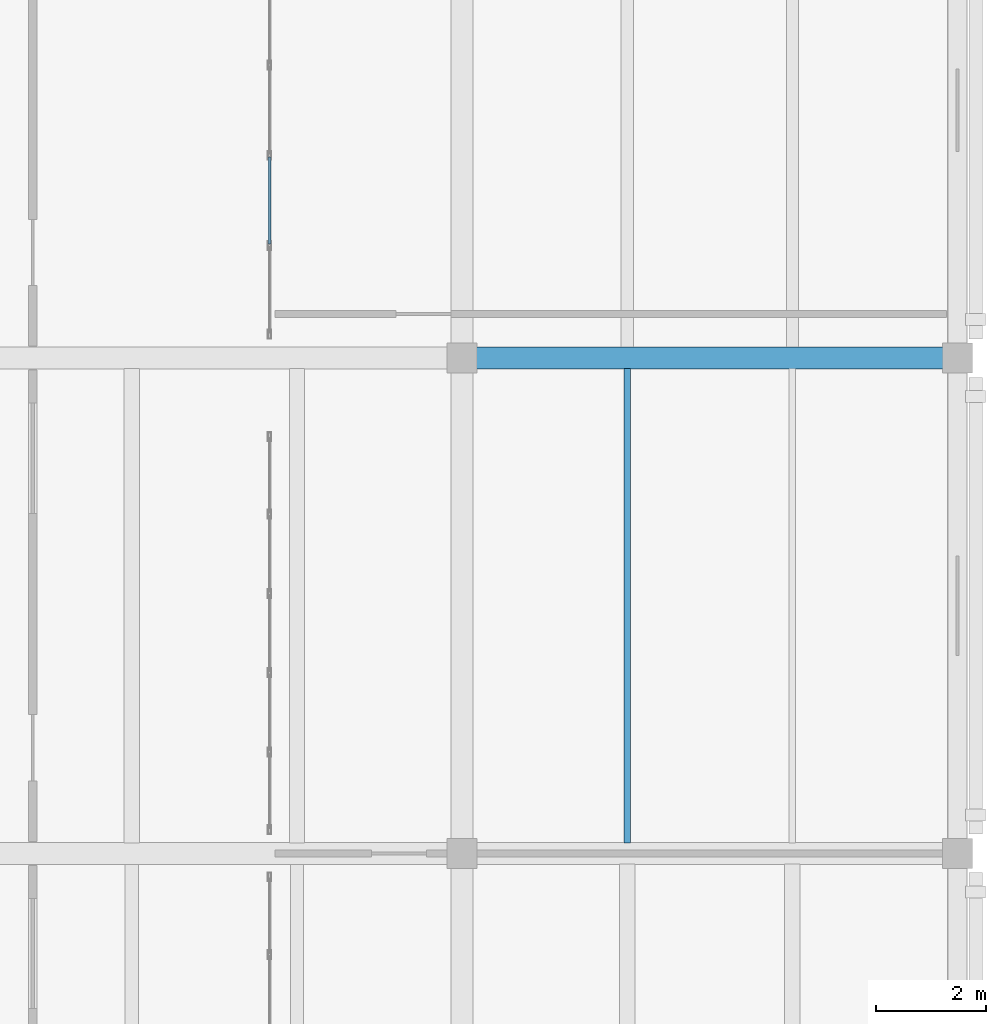
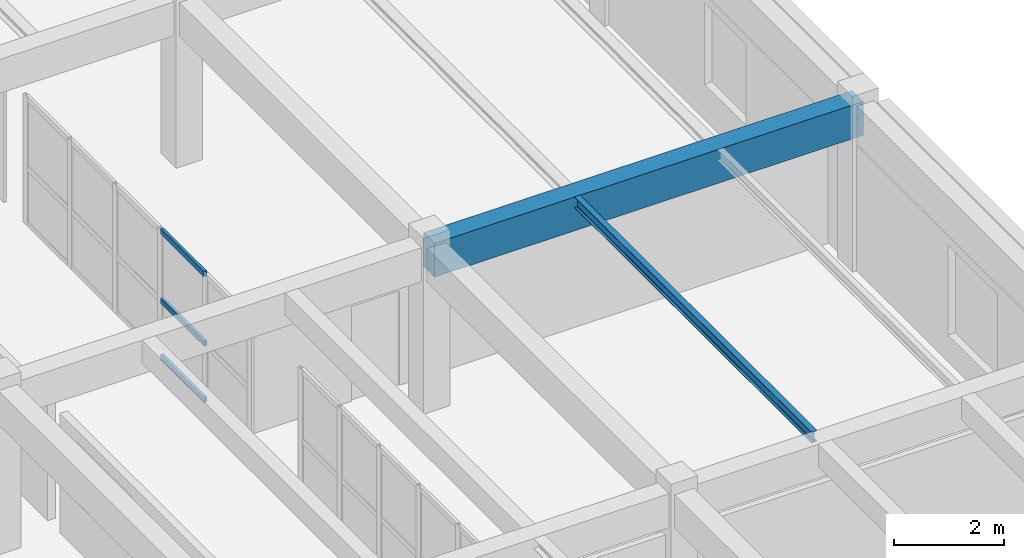
# One storey, part 86 of 156: 3 members, 2 beams, 1 element without a shape of its own.
"""IFC4 building model written with IfcOpenShell, lengths in metres."""

from ifc_helpers import new_model, si_unit, direction, frame, origin, origin_2d, place, context, subcontext, project, spatial, rectangle, hollow_rectangle, i_section, extrude, material, layer, layer_set, material_profile, profile_set, type_object, element, aggregate, save


model = new_model("IFC4")

# Units and contexts
model_context = context("Model", 3, precision=1e-05, world=origin(), true_north=direction((0.0, 1.0)))
body_context = subcontext(model_context, "Body", "Model", "MODEL_VIEW")
ifc_project = project(units=[si_unit("LENGTHUNIT", "METRE"), si_unit("AREAUNIT", "SQUARE_METRE"), si_unit("VOLUMEUNIT", "CUBIC_METRE"), si_unit("PLANEANGLEUNIT", "RADIAN"), si_unit("MASSUNIT", "GRAM", prefix="KILO")], contexts=[model_context])

# Site, building, storey
site_placement = place(None, origin())
site = spatial("IfcSite", under=ifc_project, at=site_placement, CompositionType="ELEMENT")
building_placement = place(site_placement, origin())
building = spatial("IfcBuilding", under=site, at=building_placement, Name="Ornek Quay Market", CompositionType="ELEMENT")
storey_placement = place(building_placement, frame((0.0, 0.0, 4.5)))
storey = spatial("IfcBuildingStorey", under=building, at=storey_placement, Name="L01", CompositionType="ELEMENT", Elevation=4.5)

# Beams
ifc_material_1 = material(Name="Concrete C35/45", Category="concrete")
ifc_material_profile_1 = material_profile(ifc_material_1, rectangle(XDim=0.39990234375, YDim=0.75, at=origin_2d()), Name="RC 400x750", Category="concrete")
ifc_profile_set_1 = profile_set([ifc_material_profile_1], Name="Concrete C35/45")
beam_type_1 = type_object("IfcBeamType", Name="BM-CS-400x750", PredefinedType="BEAM", material=ifc_profile_set_1)
beam_1_placement = place(storey_placement, frame((171.0, 47.0, 3.27490234375), z_axis=(1.0, 0.0, 0.0), x_axis=(0.0, 1.0, 0.0)))
element("IfcBeam", 1, at=beam_1_placement, inside=storey, type_object=beam_type_1, Name="Primary beam B-CS1-039", PredefinedType="BEAM", context=body_context, shape_type="SweptSolid", body=[
    extrude(rectangle(XDim=0.39990234375, YDim=0.75, at=origin_2d()), origin(), (0.0, 0.0, 1.0), 9.0),
])
ifc_material_2 = material(Name="Steel S355", Category="steel")
ifc_material_profile_2 = material_profile(ifc_material_2, i_section(OverallWidth=0.1201171875, OverallDepth=0.239990234375, WebThickness=0.006103515625, FlangeThickness=0.009765625, FilletRadius=0.014892578125, at=origin_2d()), Name="IPE 240", Category="steel")
ifc_profile_set_2 = profile_set([ifc_material_profile_2], Name="Steel S355")
beam_type_2 = type_object("IfcBeamType", Name="BM-STL-IPE240", PredefinedType="JOIST", material=ifc_profile_set_2)
beam_2_placement = place(storey_placement, frame((174.0, 38.19189453125, 3.530029296875), z_axis=(0.0, 1.0, 0.0), x_axis=(-1.0, 0.0, 0.0)))
element("IfcBeam", 2, at=beam_2_placement, inside=storey, type_object=beam_type_2, Name="Secondary joist SB-04-051", PredefinedType="JOIST", context=body_context, shape_type="SweptSolid", body=[
    extrude(i_section(OverallWidth=0.1201171875, OverallDepth=0.239990234375, WebThickness=0.006103515625, FlangeThickness=0.009765625, FilletRadius=0.014892578125, at=origin_2d()), origin(), (0.0, 0.0, 1.0), 8.6162109375),
])

# Curtain wall, members
ifc_material_3 = material(Name="Anodised bronze aluminium and triple low-e glass", Category="aluminium")
ifc_layer = layer(ifc_material_3, 0.139892578125, Name="Anodised bronze aluminium and triple low-e glass", Category="aluminium")
ifc_layer_set = layer_set([ifc_layer], Name="Anodised bronze aluminium and triple low-e glass")
curtain_wall_type = type_object("IfcCurtainWallType", Name="CW-GALLERY-INT", PredefinedType="USERDEFINED", material=ifc_layer_set)
curtain_wall_placement = place(storey_placement, origin())
curtain_wall = element("IfcCurtainWall", 3, at=curtain_wall_placement, inside=storey, type_object=curtain_wall_type, Name="Curtain wall CW-165", ObjectType="CURTAIN WALL", PredefinedType="USERDEFINED")
ifc_material_4 = material(Name="Anodised aluminium 6063-T6", Category="aluminium")
ifc_material_profile_3 = material_profile(ifc_material_4, hollow_rectangle(XDim=0.06005859375, YDim=0.1201171875, WallThickness=0.00390625, at=origin_2d()), Name="CW-TRN-60x120", Category="aluminium")
ifc_profile_set_3 = profile_set([ifc_material_profile_3], Name="Anodised aluminium 6063-T6")
member_type = type_object("IfcMemberType", Name="CW-TRN-60x120", PredefinedType="USERDEFINED", material=ifc_profile_set_3)
member_1_placement = place(storey_placement, frame((167.5, 49.070068359375, 0.030029296875), z_axis=(0.0, 1.0, 0.0), x_axis=(-1.0, 0.0, 0.0)))
member_1 = element("IfcMember", 4, at=member_1_placement, type_object=member_type, Name="CW-165 transom 2.1", ObjectType="TRANSOM", PredefinedType="USERDEFINED", context=body_context, shape_type="SweptSolid", body=[
    extrude(hollow_rectangle(XDim=0.06005859375, YDim=0.1201171875, WallThickness=0.00390625, at=origin_2d()), origin(), (0.0, 0.0, 1.0), 1.579833984375),
])
member_2_placement = place(storey_placement, frame((167.5, 49.070068359375, 1.282470703125), z_axis=(0.0, 1.0, 0.0), x_axis=(-1.0, 0.0, 0.0)))
member_2 = element("IfcMember", 5, at=member_2_placement, type_object=member_type, Name="CW-165 transom 2.2", ObjectType="TRANSOM", PredefinedType="USERDEFINED", context=body_context, shape_type="SweptSolid", body=[
    extrude(hollow_rectangle(XDim=0.06005859375, YDim=0.1201171875, WallThickness=0.00390625, at=origin_2d()), origin(), (0.0, 0.0, 1.0), 1.579833984375),
])
member_3_placement = place(storey_placement, frame((167.5, 49.070068359375, 2.820068359375), z_axis=(0.0, 1.0, 0.0), x_axis=(-1.0, 0.0, 0.0)))
member_3 = element("IfcMember", 6, at=member_3_placement, type_object=member_type, Name="CW-165 transom 2.3", ObjectType="TRANSOM", PredefinedType="USERDEFINED", context=body_context, shape_type="SweptSolid", body=[
    extrude(hollow_rectangle(XDim=0.06005859375, YDim=0.1201171875, WallThickness=0.00390625, at=origin_2d()), origin(), (0.0, 0.0, 1.0), 1.579833984375),
])
aggregate(curtain_wall, [member_1, member_2, member_3])

save(model, "model.ifc")
